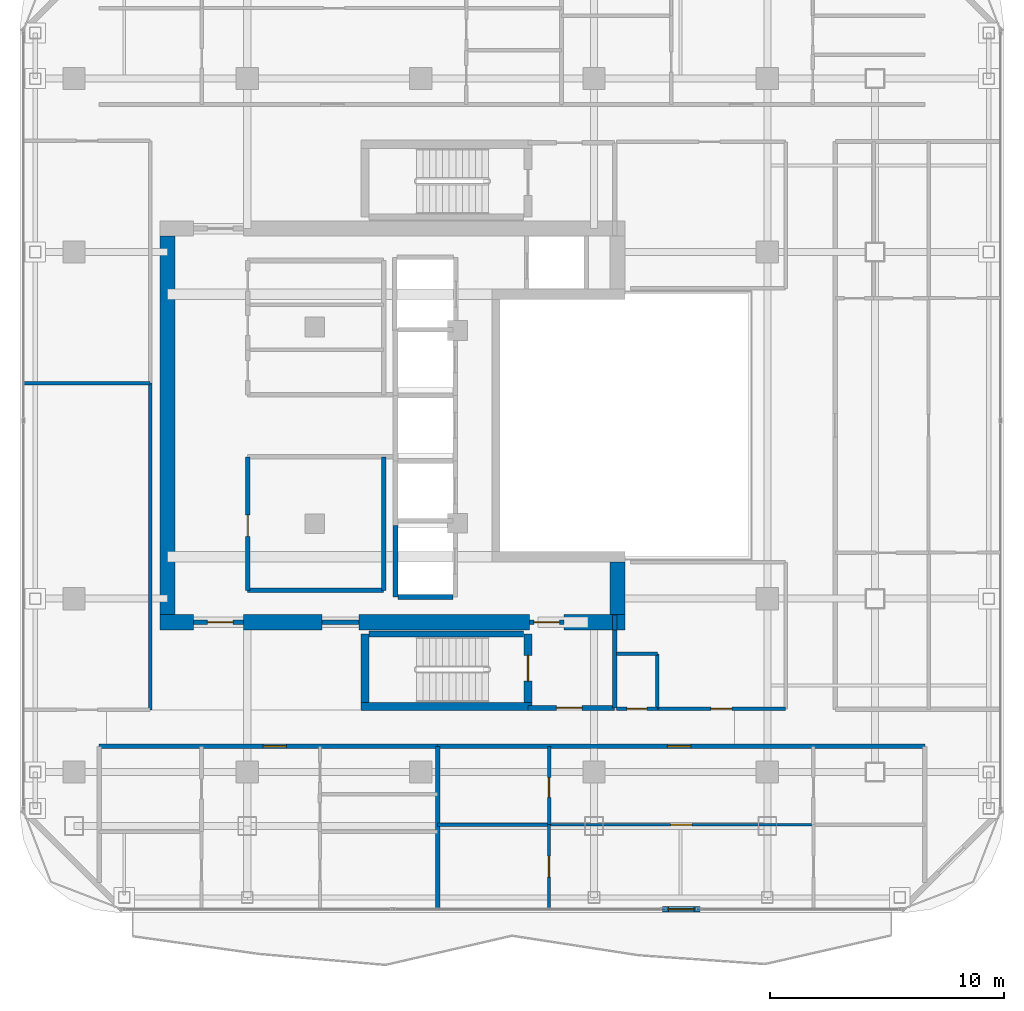
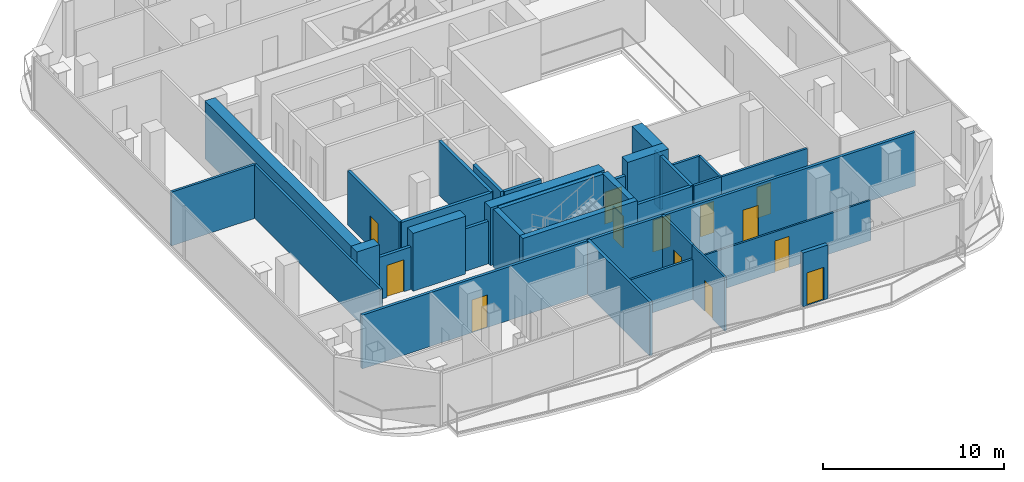
# One storey, part 16 of 22: 35 walls, 13 doors, 13 openings.
"""IFC4 building model written with IfcOpenShell, lengths in metres."""

from ifc_helpers import new_model, si_unit, direction, frame, frame_2d, origin, place, context, subcontext, project, spatial, rectangle, extrude, material, layer, layer_set, type_object, element, fill, save


model = new_model("IFC4")

# Units and contexts
model_context = context("Model", 3, precision=1e-05, world=origin(), true_north=direction((0.0, 1.0)))
body_context = subcontext(model_context, "Body", "Model", "MODEL_VIEW")
ifc_project = project(units=[si_unit("LENGTHUNIT", "METRE"), si_unit("AREAUNIT", "SQUARE_METRE"), si_unit("VOLUMEUNIT", "CUBIC_METRE"), si_unit("PLANEANGLEUNIT", "RADIAN"), si_unit("MASSUNIT", "GRAM", prefix="KILO")], contexts=[model_context])

# Site, building, storey
site_placement = place(None, origin())
site = spatial("IfcSite", under=ifc_project, at=site_placement, CompositionType="ELEMENT")
building_placement = place(site_placement, origin())
building = spatial("IfcBuilding", under=site, at=building_placement, Name="Khorvyn Point Tower", CompositionType="ELEMENT")
storey_placement = place(building_placement, frame((0.0, 0.0, 282.0)))
storey = spatial("IfcBuildingStorey", under=building, at=storey_placement, Name="L69", CompositionType="ELEMENT", Elevation=282.0)

# Wall, opening, door
ifc_material_1 = material(Name="Double acoustic gypsum on twin steel stud", Category="steel")
ifc_layer_1 = layer(ifc_material_1, 0.179931640625)
ifc_layer_set_1 = layer_set([ifc_layer_1], Name="Acoustic Double-Stud Apartment Demising Wall 180")
wall_type_1 = type_object("IfcWallType", Name="Acoustic Double-Stud Apartment Demising Wall 180", PredefinedType="PARTITIONING", material=ifc_layer_set_1)
wall_1_placement = place(storey_placement, frame((-13.719970703125, -13.699951171875, 0.0), z_axis=(0.0, 0.0, 1.0), x_axis=(1.0, 0.0, 0.0)))
wall_1 = element("IfcWall", 1, at=wall_1_placement, inside=storey, type_object=wall_type_1, Name="Wall", PredefinedType="PARTITIONING", context=body_context, shape_type="SweptSolid", body=[
    extrude(rectangle(XDim=14.447998046875, YDim=0.179931640625, at=frame_2d((7.22412109375, 0.0))), origin(), (0.0, 0.0, 1.0), 3.6201171875),
])
opening_1_placement = place(wall_1_placement, frame((6.993896484375, 0.0, 0.0)))
opening_1 = element("IfcOpeningElement", 2, at=opening_1_placement, cuts=wall_1, Name="Opening ID-AP60", PredefinedType="OPENING", context=body_context, shape_type="SweptSolid", body=[
    extrude(rectangle(XDim=1.0, YDim=2.199951171875, at=frame_2d((0.5, 1.10009765625))), frame((0.0, 0.099853515625, 0.0), z_axis=(0.0, -1.0, 0.0), x_axis=(1.0, 0.0, 0.0)), (0.0, 0.0, 1.0), 0.199951171875),
])
ifc_material_2 = material(Name="Engineered hardwood fire-rated leaf", Category="wood")
door_type_1 = type_object("IfcDoorType", Name="Acoustic Solid-Core Timber Apartment Entrance Door 1000x2200", OperationType="NOTDEFINED", PredefinedType="DOOR", material=ifc_material_2)
door_1_placement = place(opening_1_placement, origin())
door_1 = element("IfcDoor", 3, at=door_1_placement, inside=storey, type_object=door_type_1, Name="Door", OperationType="SINGLE_SWING_RIGHT", OverallHeight=2.199951171875, OverallWidth=1.0, PredefinedType="DOOR", context=body_context, shape_type="SweptSolid", body=[
    extrude(rectangle(XDim=1.0, YDim=2.199951171875, at=frame_2d((0.5, 1.10009765625))), frame((0.0, 0.02490234375, 0.0), z_axis=(0.0, -1.0, 0.0), x_axis=(1.0, 0.0, 0.0)), (0.0, 0.0, 1.0), 0.050048828125),
])
fill(opening_1, door_1)

wall_2_placement = place(storey_placement, frame((0.72802734375, -13.699951171875, 0.0), z_axis=(0.0, 0.0, 1.0), x_axis=(1.0, 0.0, 0.0)))
wall_2 = element("IfcWall", 4, at=wall_2_placement, inside=storey, type_object=wall_type_1, Name="Wall", PredefinedType="PARTITIONING", context=body_context, shape_type="SweptSolid", body=[
    extrude(rectangle(XDim=20.7919921875, YDim=0.179931640625, at=frame_2d((10.39599609375, 0.0))), origin(), (0.0, 0.0, 1.0), 3.6201171875),
])
opening_2_placement = place(wall_2_placement, frame((9.806640625, 0.0, 0.0)))
opening_2 = element("IfcOpeningElement", 5, at=opening_2_placement, cuts=wall_2, Name="Opening ID-AP60", PredefinedType="OPENING", context=body_context, shape_type="SweptSolid", body=[
    extrude(rectangle(XDim=1.0, YDim=2.199951171875, at=frame_2d((0.5, 1.10009765625))), frame((0.0, 0.099853515625, 0.0), z_axis=(0.0, -1.0, 0.0), x_axis=(1.0, 0.0, 0.0)), (0.0, 0.0, 1.0), 0.199951171875),
])
door_2_placement = place(opening_2_placement, origin())
door_2 = element("IfcDoor", 6, at=door_2_placement, inside=storey, type_object=door_type_1, Name="Door", OperationType="SINGLE_SWING_RIGHT", OverallHeight=2.199951171875, OverallWidth=1.0, PredefinedType="DOOR", context=body_context, shape_type="SweptSolid", body=[
    extrude(rectangle(XDim=1.0, YDim=2.199951171875, at=frame_2d((0.5, 1.10009765625))), frame((0.0, 0.02490234375, 0.0), z_axis=(0.0, -1.0, 0.0), x_axis=(1.0, 0.0, 0.0)), (0.0, 0.0, 1.0), 0.050048828125),
])
fill(opening_2, door_2)

# Wall
wall_3_placement = place(storey_placement, frame((0.72802734375, -20.6298828125, 0.0), z_axis=(0.0, 0.0, 1.0), x_axis=(0.0, 1.0, 0.0)))
element("IfcWall", 7, at=wall_3_placement, inside=storey, type_object=wall_type_1, Name="Wall", PredefinedType="PARTITIONING", context=body_context, shape_type="SweptSolid", body=[
    extrude(rectangle(XDim=6.929931640625, YDim=0.179931640625, at=frame_2d((3.46484375, 0.0))), origin(), (0.0, 0.0, 1.0), 3.6201171875),
])

# Wall, opening, door
ifc_material_3 = material(Name="Pale anodised aluminium rainscreen on steel stud", Category="steel")
ifc_layer_2 = layer(ifc_material_3, 0.239990234375)
ifc_layer_set_2 = layer_set([ifc_layer_2], Name="Anodised Aluminium Insulated Corner Spandrel Wall 240")
wall_type_2 = type_object("IfcWallType", Name="Anodised Aluminium Insulated Corner Spandrel Wall 240", PredefinedType="SOLIDWALL", material=ifc_layer_set_2)
wall_4_placement = place(storey_placement, frame((11.9140625, -20.64990234375, 0.0), z_axis=(0.0, 0.0, 1.0), x_axis=(-1.0, 0.0, 0.0)))
wall_4 = element("IfcWall", 8, at=wall_4_placement, inside=storey, type_object=wall_type_2, Name="L69 South Outdoor Threshold Wall", PredefinedType="SOLIDWALL", context=body_context, shape_type="SweptSolid", body=[
    extrude(rectangle(XDim=1.580078125, YDim=0.239990234375, at=frame_2d((0.7900390625, 0.0))), origin(), (0.0, 0.0, 1.0), 3.6201171875),
])
opening_3_placement = place(wall_4_placement, frame((0.239990234375, 0.0, 0.0)))
opening_3 = element("IfcOpeningElement", 9, at=opening_3_placement, cuts=wall_4, Name="Opening BD-1122", PredefinedType="OPENING", context=body_context, shape_type="SweptSolid", body=[
    extrude(rectangle(XDim=1.10009765625, YDim=2.199951171875, at=frame_2d((0.550048828125, 1.10009765625))), frame((0.0, 0.1298828125, 0.0), z_axis=(0.0, -1.0, 0.0), x_axis=(1.0, 0.0, 0.0)), (0.0, 0.0, 1.0), 0.260009765625),
])
ifc_material_4 = material(Name="Anodised aluminium 6063-T6 and laminated Low-E glass", Category="aluminium")
door_type_2 = type_object("IfcDoorType", Name="Glazed Balcony and Terrace Threshold Door 1100x2200", OperationType="NOTDEFINED", PredefinedType="DOOR", material=ifc_material_4)
door_3_placement = place(opening_3_placement, origin())
door_3 = element("IfcDoor", 10, at=door_3_placement, inside=storey, type_object=door_type_2, Name="L69 South Glazed Balcony Outdoor Door", OperationType="SINGLE_SWING_RIGHT", OverallHeight=2.199951171875, OverallWidth=1.10009765625, PredefinedType="DOOR", context=body_context, shape_type="SweptSolid", body=[
    extrude(rectangle(XDim=1.10009765625, YDim=2.199951171875, at=frame_2d((0.550048828125, 1.10009765625))), frame((0.0, 0.02490234375, 0.0), z_axis=(0.0, -1.0, 0.0), x_axis=(1.0, 0.0, 0.0)), (0.0, 0.0, 1.0), 0.050048828125),
])
fill(opening_3, door_3)

# Walls
ifc_material_5 = material(Name="Concrete C40/50", Category="concrete")
ifc_layer_3 = layer(ifc_material_5, 0.64990234375)
ifc_layer_set_3 = layer_set([ifc_layer_3], Name="Concrete C40/50 Core Shear Wall 650")
wall_type_3 = type_object("IfcWallType", Name="Concrete C40/50 Core Shear Wall 650", PredefinedType="SHEAR", material=ifc_layer_set_3)
wall_5_placement = place(storey_placement, frame((-11.125, -8.39990234375, 0.0), z_axis=(0.0, 0.0, 1.0), x_axis=(1.0, 0.0, 0.0)))
element("IfcWall", 11, at=wall_5_placement, inside=storey, type_object=wall_type_3, Name="Wall", PredefinedType="SHEAR", context=body_context, shape_type="SweptSolid", body=[
    extrude(rectangle(XDim=1.425048828125, YDim=0.64990234375, at=frame_2d((0.71240234375, 0.0))), origin(), (0.0, 0.0, 1.0), 3.89990234375),
])
wall_6_placement = place(storey_placement, frame((-7.550048828125, -8.39990234375, 0.0), z_axis=(0.0, 0.0, 1.0), x_axis=(1.0, 0.0, 0.0)))
element("IfcWall", 12, at=wall_6_placement, inside=storey, type_object=wall_type_3, Name="Wall", PredefinedType="SHEAR", context=body_context, shape_type="SweptSolid", body=[
    extrude(rectangle(XDim=3.35009765625, YDim=0.64990234375, at=frame_2d((1.675048828125, 0.0))), origin(), (0.0, 0.0, 1.0), 3.89990234375),
])
wall_7_placement = place(storey_placement, frame((-2.6201171875, -8.39990234375, 0.0), z_axis=(0.0, 0.0, 1.0), x_axis=(1.0, 0.0, 0.0)))
element("IfcWall", 13, at=wall_7_placement, inside=storey, type_object=wall_type_3, Name="Wall", PredefinedType="SHEAR", context=body_context, shape_type="SweptSolid", body=[
    extrude(rectangle(XDim=7.27001953125, YDim=0.64990234375, at=frame_2d((3.635009765625, 0.0))), origin(), (0.0, 0.0, 1.0), 3.89990234375),
])
wall_8_placement = place(storey_placement, frame((6.1201171875, -8.39990234375, 0.0), z_axis=(0.0, 0.0, 1.0), x_axis=(1.0, 0.0, 0.0)))
element("IfcWall", 14, at=wall_8_placement, inside=storey, type_object=wall_type_3, Name="Wall", PredefinedType="SHEAR", context=body_context, shape_type="SweptSolid", body=[
    extrude(rectangle(XDim=2.60498046875, YDim=0.64990234375, at=frame_2d((1.302490234375, 0.0))), origin(), (0.0, 0.0, 1.0), 3.89990234375),
])
wall_9_placement = place(storey_placement, frame((-10.800048828125, -8.074951171875, 0.0), z_axis=(0.0, 0.0, 1.0), x_axis=(0.0, 1.0, 0.0)))
element("IfcWall", 15, at=wall_9_placement, inside=storey, type_object=wall_type_3, Name="Wall", PredefinedType="SHEAR", context=body_context, shape_type="SweptSolid", body=[
    extrude(rectangle(XDim=16.14990234375, YDim=0.64990234375, at=frame_2d((8.074951171875, 0.0))), origin(), (0.0, 0.0, 1.0), 3.89990234375),
])
wall_10_placement = place(storey_placement, frame((8.39990234375, -8.074951171875, 0.0), z_axis=(0.0, 0.0, 1.0), x_axis=(0.0, 1.0, 0.0)))
element("IfcWall", 16, at=wall_10_placement, inside=storey, type_object=wall_type_3, Name="Wall", PredefinedType="SHEAR", context=body_context, shape_type="SweptSolid", body=[
    extrude(rectangle(XDim=2.25, YDim=0.64990234375, at=frame_2d((1.125, 0.0))), origin(), (0.0, 0.0, 1.0), 3.89990234375),
])

# Wall, opening, door
ifc_layer_4 = layer(ifc_material_5, 0.199951171875)
ifc_layer_set_4 = layer_set([ifc_layer_4], Name="Concrete C40/50 Fire-Lobby Compartment Wall 200")
wall_type_4 = type_object("IfcWallType", Name="Concrete C40/50 Fire-Lobby Compartment Wall 200", PredefinedType="SOLIDWALL", material=ifc_layer_set_4)
wall_11_placement = place(storey_placement, frame((4.580078125, -12.06005859375, 0.0), z_axis=(0.0, 0.0, 1.0), x_axis=(1.0, 0.0, 0.0)))
wall_11 = element("IfcWall", 17, at=wall_11_placement, inside=storey, type_object=wall_type_4, Name="Wall", PredefinedType="SOLIDWALL", context=body_context, shape_type="SweptSolid", body=[
    extrude(rectangle(XDim=3.699951171875, YDim=0.199951171875, at=frame_2d((1.85009765625, 0.0))), origin(), (0.0, 0.0, 1.0), 3.6201171875),
])
opening_4_placement = place(wall_11_placement, frame((1.21240234375, 0.0, 0.0)))
opening_4 = element("IfcOpeningElement", 18, at=opening_4_placement, cuts=wall_11, Name="Opening ID-FL90", PredefinedType="OPENING", context=body_context, shape_type="SweptSolid", body=[
    extrude(rectangle(XDim=1.10009765625, YDim=2.14990234375, at=frame_2d((0.550048828125, 1.074951171875))), frame((0.0, 0.10986328125, 0.0), z_axis=(0.0, -1.0, 0.0), x_axis=(1.0, 0.0, 0.0)), (0.0, 0.0, 1.0), 0.219970703125),
])
ifc_material_6 = material(Name="Galvanised powder-coated steel", Category="steel")
door_type_3 = type_object("IfcDoorType", Name="Fire-Rated Steel Lobby and Stair Door 1100x2150", OperationType="NOTDEFINED", PredefinedType="DOOR", material=ifc_material_6)
door_4_placement = place(opening_4_placement, origin())
door_4 = element("IfcDoor", 19, at=door_4_placement, inside=storey, type_object=door_type_3, Name="Door", OperationType="SINGLE_SWING_LEFT", OverallHeight=2.14990234375, OverallWidth=1.10009765625, PredefinedType="DOOR", context=body_context, shape_type="SweptSolid", body=[
    extrude(rectangle(XDim=1.10009765625, YDim=2.14990234375, at=frame_2d((0.550048828125, 1.074951171875))), frame((0.0, 0.02490234375, 0.0), z_axis=(0.0, -1.0, 0.0), x_axis=(1.0, 0.0, 0.0)), (0.0, 0.0, 1.0), 0.050048828125),
])
fill(opening_4, door_4)

wall_12_placement = place(storey_placement, frame((4.64990234375, -8.39990234375, 0.0), z_axis=(0.0, 0.0, 1.0), x_axis=(1.0, 0.0, 0.0)))
wall_12 = element("IfcWall", 20, at=wall_12_placement, inside=storey, type_object=wall_type_4, Name="Wall", PredefinedType="SOLIDWALL", context=body_context, shape_type="SweptSolid", body=[
    extrude(rectangle(XDim=1.47021484375, YDim=0.199951171875, at=frame_2d((0.735107421875, 0.0))), origin(), (0.0, 0.0, 1.0), 2.860107421875),
])
opening_5_placement = place(wall_12_placement, frame((0.18505859375, 0.0, 0.0)))
opening_5 = element("IfcOpeningElement", 21, at=opening_5_placement, cuts=wall_12, Name="Opening ID-FL90", PredefinedType="OPENING", context=body_context, shape_type="SweptSolid", body=[
    extrude(rectangle(XDim=1.10009765625, YDim=2.14990234375, at=frame_2d((0.550048828125, 1.074951171875))), frame((0.0, 0.10986328125, 0.0), z_axis=(0.0, -1.0, 0.0), x_axis=(1.0, 0.0, 0.0)), (0.0, 0.0, 1.0), 0.219970703125),
])
door_5_placement = place(opening_5_placement, origin())
door_5 = element("IfcDoor", 22, at=door_5_placement, inside=storey, type_object=door_type_3, Name="Door", OperationType="SINGLE_SWING_RIGHT", OverallHeight=2.14990234375, OverallWidth=1.10009765625, PredefinedType="DOOR", context=body_context, shape_type="SweptSolid", body=[
    extrude(rectangle(XDim=1.10009765625, YDim=2.14990234375, at=frame_2d((0.550048828125, 1.074951171875))), frame((0.0, 0.02490234375, 0.0), z_axis=(0.0, -1.0, 0.0), x_axis=(1.0, 0.0, 0.0)), (0.0, 0.0, 1.0), 0.050048828125),
])
fill(opening_5, door_5)

wall_13_placement = place(storey_placement, frame((-9.699951171875, -8.39990234375, 0.0), z_axis=(0.0, 0.0, 1.0), x_axis=(1.0, 0.0, 0.0)))
wall_13 = element("IfcWall", 23, at=wall_13_placement, inside=storey, type_object=wall_type_4, Name="Wall", PredefinedType="SOLIDWALL", context=body_context, shape_type="SweptSolid", body=[
    extrude(rectangle(XDim=2.14990234375, YDim=0.199951171875, at=frame_2d((1.074951171875, 0.0))), origin(), (0.0, 0.0, 1.0), 2.860107421875),
])
opening_6_placement = place(wall_13_placement, frame((0.597900390625, 0.0, 0.0)))
opening_6 = element("IfcOpeningElement", 24, at=opening_6_placement, cuts=wall_13, Name="Opening ID-FL90", PredefinedType="OPENING", context=body_context, shape_type="SweptSolid", body=[
    extrude(rectangle(XDim=1.10009765625, YDim=2.14990234375, at=frame_2d((0.550048828125, 1.074951171875))), frame((0.0, 0.10986328125, 0.0), z_axis=(0.0, -1.0, 0.0), x_axis=(1.0, 0.0, 0.0)), (0.0, 0.0, 1.0), 0.219970703125),
])
door_6_placement = place(opening_6_placement, origin())
door_6 = element("IfcDoor", 25, at=door_6_placement, inside=storey, type_object=door_type_3, Name="Door", OperationType="SINGLE_SWING_RIGHT", OverallHeight=2.14990234375, OverallWidth=1.10009765625, PredefinedType="DOOR", context=body_context, shape_type="SweptSolid", body=[
    extrude(rectangle(XDim=1.10009765625, YDim=2.14990234375, at=frame_2d((0.550048828125, 1.074951171875))), frame((0.0, 0.02490234375, 0.0), z_axis=(0.0, -1.0, 0.0), x_axis=(1.0, 0.0, 0.0)), (0.0, 0.0, 1.0), 0.050048828125),
])
fill(opening_6, door_6)

wall_14_placement = place(storey_placement, frame((-7.3798828125, -7.0400390625, 0.0), z_axis=(0.0, 0.0, 1.0), x_axis=(0.0, 1.0, 0.0)))
wall_14 = element("IfcWall", 26, at=wall_14_placement, inside=storey, type_object=wall_type_4, Name="Wall", PredefinedType="SOLIDWALL", context=body_context, shape_type="SweptSolid", body=[
    extrude(rectangle(XDim=5.699951171875, YDim=0.199951171875, at=frame_2d((2.85009765625, 0.0))), origin(), (0.0, 0.0, 1.0), 3.6201171875),
])
opening_7_placement = place(wall_14_placement, frame((2.30078125, 0.0, 0.0)))
opening_7 = element("IfcOpeningElement", 27, at=opening_7_placement, cuts=wall_14, Name="Opening ID-RS60", PredefinedType="OPENING", context=body_context, shape_type="SweptSolid", body=[
    extrude(rectangle(XDim=0.919921875, YDim=2.10009765625, at=frame_2d((0.4599609375, 1.050048828125))), frame((0.0, 0.10986328125, 0.0), z_axis=(0.0, -1.0, 0.0), x_axis=(1.0, 0.0, 0.0)), (0.0, 0.0, 1.0), 0.219970703125),
])
door_type_4 = type_object("IfcDoorType", Name="Fire-Rated Riser and Store Steel Door 920x2100", OperationType="NOTDEFINED", PredefinedType="DOOR", material=ifc_material_6)
door_7_placement = place(opening_7_placement, origin())
door_7 = element("IfcDoor", 28, at=door_7_placement, inside=storey, type_object=door_type_4, Name="Door", OperationType="SINGLE_SWING_RIGHT", OverallHeight=2.10009765625, OverallWidth=0.919921875, PredefinedType="DOOR", context=body_context, shape_type="SweptSolid", body=[
    extrude(rectangle(XDim=0.919921875, YDim=2.10009765625, at=frame_2d((0.4599609375, 1.050048828125))), frame((0.0, 0.02490234375, 0.0), z_axis=(0.0, -1.0, 0.0), x_axis=(1.0, 0.0, 0.0)), (0.0, 0.0, 1.0), 0.050048828125),
])
fill(opening_7, door_7)

# Walls
wall_15_placement = place(storey_placement, frame((8.280029296875, -12.06005859375, 0.0), z_axis=(0.0, 0.0, 1.0), x_axis=(0.0, 1.0, 0.0)))
element("IfcWall", 29, at=wall_15_placement, inside=storey, type_object=wall_type_4, Name="Wall", PredefinedType="SOLIDWALL", context=body_context, shape_type="SweptSolid", body=[
    extrude(rectangle(XDim=3.3349609375, YDim=0.199951171875, at=frame_2d((1.66748046875, 0.0))), origin(), (0.0, 0.0, 1.0), 3.6201171875),
])
wall_16_placement = place(storey_placement, frame((-4.199951171875, -8.39990234375, 0.0), z_axis=(0.0, 0.0, 1.0), x_axis=(1.0, 0.0, 0.0)))
element("IfcWall", 30, at=wall_16_placement, inside=storey, type_object=wall_type_4, Name="Wall", PredefinedType="SOLIDWALL", context=body_context, shape_type="SweptSolid", body=[
    extrude(rectangle(XDim=1.579833984375, YDim=0.199951171875, at=frame_2d((0.7900390625, 0.0))), origin(), (0.0, 0.0, 1.0), 2.860107421875),
])
wall_17_placement = place(storey_placement, frame((-1.580078125, -7.0400390625, 0.0), z_axis=(0.0, 0.0, 1.0), x_axis=(0.0, 1.0, 0.0)))
element("IfcWall", 31, at=wall_17_placement, inside=storey, type_object=wall_type_4, Name="Wall", PredefinedType="SOLIDWALL", context=body_context, shape_type="SweptSolid", body=[
    extrude(rectangle(XDim=5.699951171875, YDim=0.199951171875, at=frame_2d((2.85009765625, 0.0))), origin(), (0.0, 0.0, 1.0), 3.6201171875),
])
wall_18_placement = place(storey_placement, frame((-7.3798828125, -7.0400390625, 0.0), z_axis=(0.0, 0.0, 1.0), x_axis=(1.0, 0.0, 0.0)))
element("IfcWall", 32, at=wall_18_placement, inside=storey, type_object=wall_type_4, Name="Wall", PredefinedType="SOLIDWALL", context=body_context, shape_type="SweptSolid", body=[
    extrude(rectangle(XDim=5.7998046875, YDim=0.199951171875, at=frame_2d((2.89990234375, 0.0))), origin(), (0.0, 0.0, 1.0), 3.6201171875),
])
wall_19_placement = place(storey_placement, frame((8.280029296875, -8.72509765625, 0.0), z_axis=(0.0, 0.0, 1.0), x_axis=(0.0, 1.0, 0.0)))
element("IfcWall", 33, at=wall_19_placement, inside=storey, type_object=wall_type_4, Name="Wall", PredefinedType="SOLIDWALL", context=body_context, shape_type="SweptSolid", body=[
    extrude(rectangle(XDim=0.625, YDim=0.199951171875, at=frame_2d((0.3125, 0.0))), origin(), (0.0, 0.0, 1.0), 3.6201171875),
])
ifc_layer_5 = layer(ifc_material_5, 0.25)
ifc_layer_set_5 = layer_set([ifc_layer_5], Name="Concrete C40/50 Stair Inner Cheek Structural Wall 250")
wall_type_5 = type_object("IfcWallType", Name="Concrete C40/50 Stair Inner Cheek Structural Wall 250", PredefinedType="SHEAR", material=ifc_layer_set_5)
wall_20_placement = place(storey_placement, frame((-2.199951171875, -8.89990234375, 0.0), z_axis=(0.0, 0.0, 1.0), x_axis=(1.0, 0.0, 0.0)))
element("IfcWall", 34, at=wall_20_placement, inside=storey, type_object=wall_type_5, Name="Wall", PredefinedType="SHEAR", context=body_context, shape_type="SweptSolid", body=[
    extrude(rectangle(XDim=6.599853515625, YDim=0.25, at=frame_2d((3.2998046875, 0.0))), origin(), (0.0, 0.0, 1.0), 3.89990234375),
])
ifc_layer_6 = layer(ifc_material_5, 0.35009765625)
ifc_layer_set_6 = layer_set([ifc_layer_6], Name="Concrete C40/50 Stair Shaft Structural Wall 350")
wall_type_6 = type_object("IfcWallType", Name="Concrete C40/50 Stair Shaft Structural Wall 350", PredefinedType="SHEAR", material=ifc_layer_set_6)
wall_21_placement = place(storey_placement, frame((-2.554931640625, -12.0, 0.0), z_axis=(0.0, 0.0, 1.0), x_axis=(1.0, 0.0, 0.0)))
element("IfcWall", 35, at=wall_21_placement, inside=storey, type_object=wall_type_6, Name="L69 ST-01 South Shaft Wall", PredefinedType="SHEAR", context=body_context, shape_type="SweptSolid", body=[
    extrude(rectangle(XDim=7.309814453125, YDim=0.35009765625, at=frame_2d((3.65478515625, 0.0))), origin(), (0.0, 0.0, 1.0), 3.89990234375),
])
wall_22_placement = place(storey_placement, frame((-2.3798828125, -11.824951171875, 0.0), z_axis=(0.0, 0.0, 1.0), x_axis=(0.0, 1.0, 0.0)))
element("IfcWall", 36, at=wall_22_placement, inside=storey, type_object=wall_type_6, Name="L69 ST-01 West Shaft Wall", PredefinedType="SHEAR", context=body_context, shape_type="SweptSolid", body=[
    extrude(rectangle(XDim=2.925048828125, YDim=0.35009765625, at=frame_2d((1.46240234375, 0.0))), origin(), (0.0, 0.0, 1.0), 3.89990234375),
])

# Wall, opening, door
wall_23_placement = place(storey_placement, frame((4.580078125, -8.89990234375, 0.0), z_axis=(0.0, 0.0, 1.0), x_axis=(0.0, -1.0, 0.0)))
wall_23 = element("IfcWall", 37, at=wall_23_placement, inside=storey, type_object=wall_type_6, Name="L69 ST-01 East Landing Door Wall", PredefinedType="SHEAR", context=body_context, shape_type="SweptSolid", body=[
    extrude(rectangle(XDim=2.925048828125, YDim=0.35009765625, at=frame_2d((1.46240234375, 0.0))), origin(), (0.0, 0.0, 1.0), 3.89990234375),
])
opening_8_placement = place(wall_23_placement, frame((0.91259765625, 0.0, 0.0)))
opening_8 = element("IfcOpeningElement", 38, at=opening_8_placement, cuts=wall_23, Name="Opening ID-FL90", PredefinedType="OPENING", context=body_context, shape_type="SweptSolid", body=[
    extrude(rectangle(XDim=1.10009765625, YDim=2.14990234375, at=frame_2d((0.550048828125, 1.074951171875))), frame((0.0, 0.18505859375, 0.0), z_axis=(0.0, -1.0, 0.0), x_axis=(1.0, 0.0, 0.0)), (0.0, 0.0, 1.0), 0.3701171875),
])
door_8_placement = place(opening_8_placement, origin())
door_8 = element("IfcDoor", 39, at=door_8_placement, inside=storey, type_object=door_type_3, Name="L69 ST-01 Smokeproof Landing Door", OperationType="SINGLE_SWING_LEFT", OverallHeight=2.14990234375, OverallWidth=1.10009765625, PredefinedType="DOOR", context=body_context, shape_type="SweptSolid", body=[
    extrude(rectangle(XDim=1.10009765625, YDim=2.14990234375, at=frame_2d((0.550048828125, 1.074951171875))), frame((0.0, 0.02490234375, 0.0), z_axis=(0.0, -1.0, 0.0), x_axis=(1.0, 0.0, 0.0)), (0.0, 0.0, 1.0), 0.050048828125),
])
fill(opening_8, door_8)

# Walls
ifc_layer_7 = layer(ifc_material_5, 0.199951171875)
ifc_layer_set_7 = layer_set([ifc_layer_7], Name="Concrete C40/50 Structural Hoistway and Stair Shaft Wall 200")
wall_type_7 = type_object("IfcWallType", Name="Concrete C40/50 Structural Hoistway and Stair Shaft Wall 200", PredefinedType="SHEAR", material=ifc_layer_set_7)
wall_24_placement = place(storey_placement, frame((-1.074951171875, -7.324951171875, 0.0), z_axis=(0.0, 0.0, 1.0), x_axis=(0.0, 1.0, 0.0)))
element("IfcWall", 40, at=wall_24_placement, inside=storey, type_object=wall_type_7, Name="Wall", PredefinedType="SHEAR", context=body_context, shape_type="SweptSolid", body=[
    extrude(rectangle(XDim=3.050048828125, YDim=0.199951171875, at=frame_2d((1.52490234375, 0.0))), origin(), (0.0, 0.0, 1.0), 3.6201171875),
])
wall_25_placement = place(storey_placement, frame((-0.97509765625, -7.324951171875, 0.0), z_axis=(0.0, 0.0, 1.0), x_axis=(1.0, 0.0, 0.0)))
element("IfcWall", 41, at=wall_25_placement, inside=storey, type_object=wall_type_7, Name="Wall", PredefinedType="SHEAR", context=body_context, shape_type="SweptSolid", body=[
    extrude(rectangle(XDim=2.35009765625, YDim=0.199951171875, at=frame_2d((1.175048828125, 0.0))), origin(), (0.0, 0.0, 1.0), 3.6201171875),
])

# Wall, opening, door
ifc_material_7 = material(Name="Gypsum plasterboard on steel stud", Category="steel")
ifc_layer_8 = layer(ifc_material_7, 0.1201171875)
ifc_layer_set_8 = layer_set([ifc_layer_8], Name="Gypsum Acoustic Stud Room Partition Wall 120")
wall_type_8 = type_object("IfcWallType", Name="Gypsum Acoustic Stud Room Partition Wall 120", PredefinedType="PARTITIONING", material=ifc_layer_set_8)
wall_26_placement = place(storey_placement, frame((5.47998046875, -17.044921875, 0.0), z_axis=(0.0, 0.0, 1.0), x_axis=(1.0, 0.0, 0.0)))
wall_26 = element("IfcWall", 42, at=wall_26_placement, inside=storey, type_object=wall_type_8, Name="Wall", PredefinedType="PARTITIONING", context=body_context, shape_type="SweptSolid", body=[
    extrude(rectangle(XDim=11.2880859375, YDim=0.1201171875, at=frame_2d((5.64404296875, 0.0))), origin(), (0.0, 0.0, 1.0), 2.7099609375),
])
opening_9_placement = place(wall_26_placement, frame((5.194091796875, 0.0, 0.0)))
opening_9 = element("IfcOpeningElement", 43, at=opening_9_placement, cuts=wall_26, Name="Opening ID-RM90", PredefinedType="OPENING", context=body_context, shape_type="SweptSolid", body=[
    extrude(rectangle(XDim=0.89990234375, YDim=2.10009765625, at=frame_2d((0.449951171875, 1.050048828125))), frame((0.0, 0.070068359375, 0.0), z_axis=(0.0, -1.0, 0.0), x_axis=(1.0, 0.0, 0.0)), (0.0, 0.0, 1.0), 0.14013671875),
])
ifc_material_8 = material(Name="Engineered oak veneer timber", Category="wood")
door_type_5 = type_object("IfcDoorType", Name="Flush Engineered Timber Room Door 900x2100", OperationType="NOTDEFINED", PredefinedType="DOOR", material=ifc_material_8)
door_9_placement = place(opening_9_placement, origin())
door_9 = element("IfcDoor", 44, at=door_9_placement, inside=storey, type_object=door_type_5, Name="Door", OperationType="SINGLE_SWING_LEFT", OverallHeight=2.10009765625, OverallWidth=0.89990234375, PredefinedType="DOOR", context=body_context, shape_type="SweptSolid", body=[
    extrude(rectangle(XDim=0.89990234375, YDim=2.10009765625, at=frame_2d((0.449951171875, 1.050048828125))), frame((0.0, 0.02490234375, 0.0), z_axis=(0.0, -1.0, 0.0), x_axis=(1.0, 0.0, 0.0)), (0.0, 0.0, 1.0), 0.050048828125),
])
fill(opening_9, door_9)

wall_27_placement = place(storey_placement, frame((5.47998046875, -20.6298828125, 0.0), z_axis=(0.0, 0.0, 1.0), x_axis=(0.0, 1.0, 0.0)))
wall_27 = element("IfcWall", 45, at=wall_27_placement, inside=storey, type_object=wall_type_8, Name="Wall", PredefinedType="PARTITIONING", context=body_context, shape_type="SweptSolid", body=[
    extrude(rectangle(XDim=3.5849609375, YDim=0.1201171875, at=frame_2d((1.79248046875, 0.0))), origin(), (0.0, 0.0, 1.0), 3.6201171875),
])
opening_10_placement = place(wall_27_placement, frame((1.342529296875, 0.0, 0.0)))
opening_10 = element("IfcOpeningElement", 46, at=opening_10_placement, cuts=wall_27, Name="Opening ID-RM90", PredefinedType="OPENING", context=body_context, shape_type="SweptSolid", body=[
    extrude(rectangle(XDim=0.89990234375, YDim=2.10009765625, at=frame_2d((0.449951171875, 1.050048828125))), frame((0.0, 0.070068359375, 0.0), z_axis=(0.0, -1.0, 0.0), x_axis=(1.0, 0.0, 0.0)), (0.0, 0.0, 1.0), 0.14013671875),
])
door_10_placement = place(opening_10_placement, origin())
door_10 = element("IfcDoor", 47, at=door_10_placement, inside=storey, type_object=door_type_5, Name="Door", OperationType="SINGLE_SWING_LEFT", OverallHeight=2.10009765625, OverallWidth=0.89990234375, PredefinedType="DOOR", context=body_context, shape_type="SweptSolid", body=[
    extrude(rectangle(XDim=0.89990234375, YDim=2.10009765625, at=frame_2d((0.449951171875, 1.050048828125))), frame((0.0, 0.02490234375, 0.0), z_axis=(0.0, -1.0, 0.0), x_axis=(1.0, 0.0, 0.0)), (0.0, 0.0, 1.0), 0.050048828125),
])
fill(opening_10, door_10)

ifc_material_9 = material(Name="Moisture-resistant gypsum and cement board", Category="gypsum")
ifc_layer_9 = layer(ifc_material_9, 0.14990234375)
ifc_layer_set_9 = layer_set([ifc_layer_9], Name="Moisture-Resistant Wet-Room Partition Wall 150")
wall_type_9 = type_object("IfcWallType", Name="Moisture-Resistant Wet-Room Partition Wall 150", PredefinedType="PARTITIONING", material=ifc_layer_set_9)
wall_28_placement = place(storey_placement, frame((8.360107421875, -12.10009765625, 0.0), z_axis=(0.0, 0.0, 1.0), x_axis=(1.0, 0.0, 0.0)))
wall_28 = element("IfcWall", 48, at=wall_28_placement, inside=storey, type_object=wall_type_9, Name="Wall", PredefinedType="PARTITIONING", context=body_context, shape_type="SweptSolid", body=[
    extrude(rectangle(XDim=1.739990234375, YDim=0.14990234375, at=frame_2d((0.8701171875, 0.0))), origin(), (0.0, 0.0, 1.0), 3.6201171875),
])
opening_11_placement = place(wall_28_placement, frame((0.445068359375, 0.0, 0.0)))
opening_11 = element("IfcOpeningElement", 49, at=opening_11_placement, cuts=wall_28, Name="Opening ID-WC85", PredefinedType="OPENING", context=body_context, shape_type="SweptSolid", body=[
    extrude(rectangle(XDim=0.85009765625, YDim=2.10009765625, at=frame_2d((0.425048828125, 1.050048828125))), frame((0.0, 0.0849609375, 0.0), z_axis=(0.0, -1.0, 0.0), x_axis=(1.0, 0.0, 0.0)), (0.0, 0.0, 1.0), 0.169921875),
])
ifc_material_10 = material(Name="High-pressure laminate on moisture-resistant core", Category="wood")
door_type_6 = type_object("IfcDoorType", Name="Moisture-Resistant Accessible Washroom Door 850x2100", OperationType="NOTDEFINED", PredefinedType="DOOR", material=ifc_material_10)
door_11_placement = place(opening_11_placement, origin())
door_11 = element("IfcDoor", 50, at=door_11_placement, inside=storey, type_object=door_type_6, Name="Door", OperationType="SINGLE_SWING_RIGHT", OverallHeight=2.10009765625, OverallWidth=0.85009765625, PredefinedType="DOOR", context=body_context, shape_type="SweptSolid", body=[
    extrude(rectangle(XDim=0.85009765625, YDim=2.10009765625, at=frame_2d((0.425048828125, 1.050048828125))), frame((0.0, 0.02490234375, 0.0), z_axis=(0.0, -1.0, 0.0), x_axis=(1.0, 0.0, 0.0)), (0.0, 0.0, 1.0), 0.050048828125),
])
fill(opening_11, door_11)

wall_29_placement = place(storey_placement, frame((10.10009765625, -12.10009765625, 0.0), z_axis=(0.0, 0.0, 1.0), x_axis=(1.0, 0.0, 0.0)))
wall_29 = element("IfcWall", 51, at=wall_29_placement, inside=storey, type_object=wall_type_9, Name="Wall", PredefinedType="PARTITIONING", context=body_context, shape_type="SweptSolid", body=[
    extrude(rectangle(XDim=5.47998046875, YDim=0.14990234375, at=frame_2d((2.739990234375, 0.0))), origin(), (0.0, 0.0, 1.0), 3.6201171875),
])
opening_12_placement = place(wall_29_placement, frame((2.2900390625, 0.0, 0.0)))
opening_12 = element("IfcOpeningElement", 52, at=opening_12_placement, cuts=wall_29, Name="Opening ID-RM90", PredefinedType="OPENING", context=body_context, shape_type="SweptSolid", body=[
    extrude(rectangle(XDim=0.89990234375, YDim=2.10009765625, at=frame_2d((0.449951171875, 1.050048828125))), frame((0.0, 0.0849609375, 0.0), z_axis=(0.0, -1.0, 0.0), x_axis=(1.0, 0.0, 0.0)), (0.0, 0.0, 1.0), 0.169921875),
])
door_12_placement = place(opening_12_placement, origin())
door_12 = element("IfcDoor", 53, at=door_12_placement, inside=storey, type_object=door_type_5, Name="Door", OperationType="SINGLE_SWING_LEFT", OverallHeight=2.10009765625, OverallWidth=0.89990234375, PredefinedType="DOOR", context=body_context, shape_type="SweptSolid", body=[
    extrude(rectangle(XDim=0.89990234375, YDim=2.10009765625, at=frame_2d((0.449951171875, 1.050048828125))), frame((0.0, 0.02490234375, 0.0), z_axis=(0.0, -1.0, 0.0), x_axis=(1.0, 0.0, 0.0)), (0.0, 0.0, 1.0), 0.050048828125),
])
fill(opening_12, door_12)

wall_30_placement = place(storey_placement, frame((5.47998046875, -17.044921875, 0.0), z_axis=(0.0, 0.0, 1.0), x_axis=(0.0, 1.0, 0.0)))
wall_30 = element("IfcWall", 54, at=wall_30_placement, inside=storey, type_object=wall_type_9, Name="Wall", PredefinedType="PARTITIONING", context=body_context, shape_type="SweptSolid", body=[
    extrude(rectangle(XDim=3.344970703125, YDim=0.14990234375, at=frame_2d((1.67236328125, 0.0))), origin(), (0.0, 0.0, 1.0), 3.6201171875),
])
opening_13_placement = place(wall_30_placement, frame((1.163818359375, 0.0, 0.0)))
opening_13 = element("IfcOpeningElement", 55, at=opening_13_placement, cuts=wall_30, Name="Opening ID-WC85", PredefinedType="OPENING", context=body_context, shape_type="SweptSolid", body=[
    extrude(rectangle(XDim=0.85009765625, YDim=2.10009765625, at=frame_2d((0.425048828125, 1.050048828125))), frame((0.0, 0.0849609375, 0.0), z_axis=(0.0, -1.0, 0.0), x_axis=(1.0, 0.0, 0.0)), (0.0, 0.0, 1.0), 0.169921875),
])
door_13_placement = place(opening_13_placement, origin())
door_13 = element("IfcDoor", 56, at=door_13_placement, inside=storey, type_object=door_type_6, Name="Door", OperationType="SINGLE_SWING_RIGHT", OverallHeight=2.10009765625, OverallWidth=0.85009765625, PredefinedType="DOOR", context=body_context, shape_type="SweptSolid", body=[
    extrude(rectangle(XDim=0.85009765625, YDim=2.10009765625, at=frame_2d((0.425048828125, 1.050048828125))), frame((0.0, 0.02490234375, 0.0), z_axis=(0.0, -1.0, 0.0), x_axis=(1.0, 0.0, 0.0)), (0.0, 0.0, 1.0), 0.050048828125),
])
fill(opening_13, door_13)

# Walls
wall_31_placement = place(storey_placement, frame((8.360107421875, -9.75, 0.0), z_axis=(0.0, 0.0, 1.0), x_axis=(1.0, 0.0, 0.0)))
element("IfcWall", 57, at=wall_31_placement, inside=storey, type_object=wall_type_9, Name="Wall", PredefinedType="PARTITIONING", context=body_context, shape_type="SweptSolid", body=[
    extrude(rectangle(XDim=1.739990234375, YDim=0.14990234375, at=frame_2d((0.8701171875, 0.0))), origin(), (0.0, 0.0, 1.0), 3.6201171875),
])
wall_32_placement = place(storey_placement, frame((10.10009765625, -12.10009765625, 0.0), z_axis=(0.0, 0.0, 1.0), x_axis=(0.0, 1.0, 0.0)))
element("IfcWall", 58, at=wall_32_placement, inside=storey, type_object=wall_type_9, Name="Wall", PredefinedType="PARTITIONING", context=body_context, shape_type="SweptSolid", body=[
    extrude(rectangle(XDim=2.35009765625, YDim=0.14990234375, at=frame_2d((1.175048828125, 0.0))), origin(), (0.0, 0.0, 1.0), 3.6201171875),
])
wall_33_placement = place(storey_placement, frame((0.72802734375, -17.044921875, 0.0), z_axis=(0.0, 0.0, 1.0), x_axis=(1.0, 0.0, 0.0)))
element("IfcWall", 59, at=wall_33_placement, inside=storey, type_object=wall_type_9, Name="Wall", PredefinedType="PARTITIONING", context=body_context, shape_type="SweptSolid", body=[
    extrude(rectangle(XDim=4.751953125, YDim=0.14990234375, at=frame_2d((2.3759765625, 0.0))), origin(), (0.0, 0.0, 1.0), 2.7099609375),
])
wall_34_placement = place(storey_placement, frame((-16.929931640625, 1.800048828125, 0.0), z_axis=(0.0, 0.0, 1.0), x_axis=(1.0, 0.0, 0.0)))
element("IfcWall", 60, at=wall_34_placement, inside=storey, type_object=wall_type_9, Name="Wall", PredefinedType="PARTITIONING", context=body_context, shape_type="SweptSolid", body=[
    extrude(rectangle(XDim=5.3798828125, YDim=0.14990234375, at=frame_2d((2.68994140625, 0.0))), origin(), (0.0, 0.0, 1.0), 3.6201171875),
])
wall_35_placement = place(storey_placement, frame((-11.550048828125, -12.139892578125, 0.0), z_axis=(0.0, 0.0, 1.0), x_axis=(0.0, 1.0, 0.0)))
element("IfcWall", 61, at=wall_35_placement, inside=storey, type_object=wall_type_9, Name="Wall", PredefinedType="PARTITIONING", context=body_context, shape_type="SweptSolid", body=[
    extrude(rectangle(XDim=13.93994140625, YDim=0.14990234375, at=frame_2d((6.969970703125, 0.0))), origin(), (0.0, 0.0, 1.0), 3.6201171875),
])

save(model, "model.ifc")
